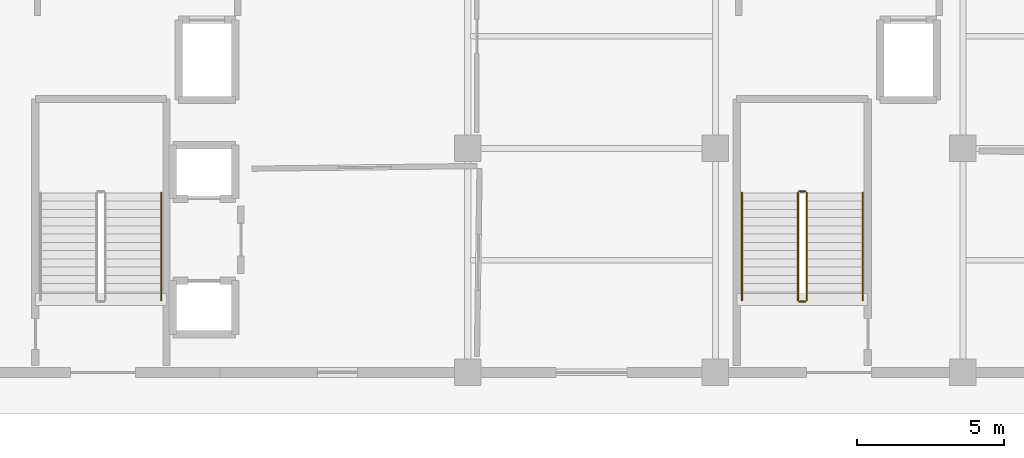
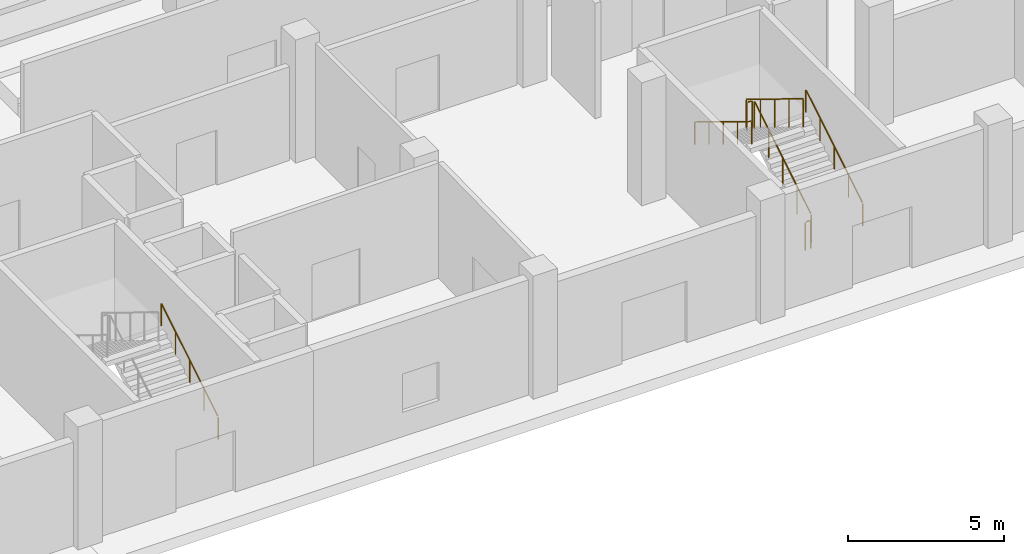
# One storey, part 31 of 36: 7 railings.
"""IFC4 building model written with IfcOpenShell, lengths in metres."""

from ifc_helpers import new_model, si_unit, direction, frame, origin, origin_2d, place, context, subcontext, project, spatial, circle, extrude, material, type_object, element, save


model = new_model("IFC4")

# Units and contexts
model_context = context("Model", 3, precision=1e-05, world=origin(), true_north=direction((0.0, 1.0)))
body_context = subcontext(model_context, "Body", "Model", "MODEL_VIEW")
ifc_project = project(units=[si_unit("LENGTHUNIT", "METRE"), si_unit("AREAUNIT", "SQUARE_METRE"), si_unit("VOLUMEUNIT", "CUBIC_METRE"), si_unit("PLANEANGLEUNIT", "RADIAN"), si_unit("MASSUNIT", "GRAM", prefix="KILO")], contexts=[model_context])

# Site, building, storey
site_placement = place(None, origin())
site = spatial("IfcSite", under=ifc_project, at=site_placement, CompositionType="ELEMENT")
building_placement = place(site_placement, origin())
building = spatial("IfcBuilding", under=site, at=building_placement, Name="Zuvorla Pavilion Media Centre", CompositionType="ELEMENT")
storey_placement = place(building_placement, origin())
storey = spatial("IfcBuildingStorey", under=building, at=storey_placement, Name="L00", CompositionType="ELEMENT", Elevation=0.0)

# Railings
ifc_material_1 = material(Name="Powder-coated steel balustrade guard", Category="steel")
railing_type_1 = type_object("IfcRailingType", Name="RL-INT-GRD", PredefinedType="BALUSTRADE", material=ifc_material_1)
railing_1_placement = place(storey_placement, frame((95.10009765625, 8.449951171875, 0.17138671875)))
element("IfcRailing", 1, at=railing_1_placement, inside=storey, type_object=railing_type_1, Name="L00 ST-02 stair guard 1", PredefinedType="BALUSTRADE", context=body_context, shape_type="SweptSolid", body=[
    extrude(circle(Radius=0.02392578125, at=origin_2d()), frame((0.0, 0.024658203125, 1.111083984375), z_axis=(0.0, 0.852865859571, 0.52213008492), x_axis=(-1.0, 0.0, 0.0)), (0.0, 0.0, 1.0), 4.21044921875),
    extrude(circle(Radius=0.02099609375, at=origin_2d()), origin(), (0.0, 0.0, 1.0), 1.070068359375),
    extrude(circle(Radius=0.02099609375, at=origin_2d()), frame((0.0, 0.91015625, 0.55712890625)), (0.0, 0.0, 1.0), 1.070068359375),
    extrude(circle(Radius=0.02099609375, at=origin_2d()), frame((0.0, 1.820068359375, 1.1142578125)), (0.0, 0.0, 1.0), 1.070068359375),
    extrude(circle(Radius=0.02099609375, at=origin_2d()), frame((0.0, 2.72998046875, 1.67138671875)), (0.0, 0.0, 1.0), 1.070068359375),
    extrude(circle(Radius=0.02099609375, at=origin_2d()), frame((0.0, 3.64013671875, 2.228515625)), (0.0, 0.0, 1.0), 1.070068359375),
])
railing_2_placement = place(storey_placement, frame((95.050048828125, 12.139892578125, 2.39990234375)))
element("IfcRailing", 2, at=railing_2_placement, inside=storey, type_object=railing_type_1, Name="L00 ST-02 stair guard 2", PredefinedType="BALUSTRADE", context=body_context, shape_type="SweptSolid", body=[
    extrude(circle(Radius=0.02392578125, at=origin_2d()), frame((-0.02880859375, 0.0, 1.09619140625), z_axis=(-1.0, 0.0, 0.0), x_axis=(0.0, -1.0, 0.0)), (0.0, 0.0, 1.0), 0.142333984375),
    extrude(circle(Radius=0.02099609375, at=origin_2d()), origin(), (0.0, 0.0, 1.0), 1.070068359375),
    extrude(circle(Radius=0.02099609375, at=origin_2d()), frame((-0.199951171875, 0.0, 0.0)), (0.0, 0.0, 1.0), 1.070068359375),
])
railing_3_placement = place(storey_placement, frame((94.800048828125, 12.090087890625, 2.571533203125)))
element("IfcRailing", 3, at=railing_3_placement, inside=storey, type_object=railing_type_1, Name="L00 ST-02 stair guard 3", PredefinedType="BALUSTRADE", context=body_context, shape_type="SweptSolid", body=[
    extrude(circle(Radius=0.02392578125, at=origin_2d()), frame((0.0, -0.024658203125, 1.111083984375), z_axis=(0.0, -0.852865859571, 0.52213008492), x_axis=(1.0, 0.0, 0.0)), (0.0, 0.0, 1.0), 4.21044921875),
    extrude(circle(Radius=0.02099609375, at=origin_2d()), origin(), (0.0, 0.0, 1.0), 1.070068359375),
    extrude(circle(Radius=0.02099609375, at=origin_2d()), frame((0.0, -0.91015625, 0.55712890625)), (0.0, 0.0, 1.0), 1.070068359375),
    extrude(circle(Radius=0.02099609375, at=origin_2d()), frame((0.0, -1.820068359375, 1.1142578125)), (0.0, 0.0, 1.0), 1.070068359375),
    extrude(circle(Radius=0.02099609375, at=origin_2d()), frame((0.0, -2.72998046875, 1.67138671875)), (0.0, 0.0, 1.0), 1.070068359375),
    extrude(circle(Radius=0.02099609375, at=origin_2d()), frame((0.0, -3.64013671875, 2.228515625)), (0.0, 0.0, 1.0), 1.070068359375),
])
railing_4_placement = place(storey_placement, frame((95.050048828125, 8.39990234375, 0.0)))
element("IfcRailing", 4, at=railing_4_placement, inside=storey, type_object=railing_type_1, Name="L00 ST-02 stair guard 4", PredefinedType="BALUSTRADE", context=body_context, shape_type="SweptSolid", body=[
    extrude(circle(Radius=0.02392578125, at=origin_2d()), frame((-0.02880859375, 0.0, 1.09619140625), z_axis=(-1.0, 0.0, 0.0), x_axis=(0.0, -1.0, 0.0)), (0.0, 0.0, 1.0), 0.142333984375),
    extrude(circle(Radius=0.02099609375, at=origin_2d()), origin(), (0.0, 0.0, 1.0), 1.070068359375),
    extrude(circle(Radius=0.02099609375, at=origin_2d()), frame((-0.199951171875, 0.0, 0.0)), (0.0, 0.0, 1.0), 1.070068359375),
])
ifc_material_2 = material(Name="Brushed stainless steel tubular handrail", Category="steel")
railing_type_2 = type_object("IfcRailingType", Name="RL-INT-HND", PredefinedType="HANDRAIL", material=ifc_material_2)
for number, where, name in (
    (5, (73.199951171875, 8.449951171875, 0.17138671875), "L00 ST-01 handrail 1"),
    (6, (97.0, 8.449951171875, 0.17138671875), "L00 ST-02 handrail 1"),
):
    element("IfcRailing", number, at=place(storey_placement, frame(where)), inside=storey, type_object=railing_type_2, Name=name, PredefinedType="HANDRAIL", context=body_context, shape_type="SweptSolid", body=[
        extrude(circle(Radius=0.02392578125, at=origin_2d()), frame((0.0, 0.024658203125, 0.890869140625), z_axis=(0.0, 0.852865859571, 0.52213008492), x_axis=(-1.0, 0.0, 0.0)), (0.0, 0.0, 1.0), 4.21044921875),
        extrude(circle(Radius=0.02099609375, at=origin_2d()), origin(), (0.0, 0.0, 1.0), 0.849853515625),
        extrude(circle(Radius=0.02099609375, at=origin_2d()), frame((0.0, 0.91015625, 0.55712890625)), (0.0, 0.0, 1.0), 0.849853515625),
        extrude(circle(Radius=0.02099609375, at=origin_2d()), frame((0.0, 1.820068359375, 1.1142578125)), (0.0, 0.0, 1.0), 0.849853515625),
        extrude(circle(Radius=0.02099609375, at=origin_2d()), frame((0.0, 2.72998046875, 1.67138671875)), (0.0, 0.0, 1.0), 0.849853515625),
        extrude(circle(Radius=0.02099609375, at=origin_2d()), frame((0.0, 3.64013671875, 2.228515625)), (0.0, 0.0, 1.0), 0.849853515625),
    ])
railing_5_placement = place(storey_placement, frame((92.89990234375, 12.090087890625, 2.571533203125)))
element("IfcRailing", 7, at=railing_5_placement, inside=storey, type_object=railing_type_2, Name="L00 ST-02 handrail 2", PredefinedType="HANDRAIL", context=body_context, shape_type="SweptSolid", body=[
    extrude(circle(Radius=0.02392578125, at=origin_2d()), frame((0.0, -0.024658203125, 0.890869140625), z_axis=(0.0, -0.852865859571, 0.52213008492), x_axis=(1.0, 0.0, 0.0)), (0.0, 0.0, 1.0), 4.21044921875),
    extrude(circle(Radius=0.02099609375, at=origin_2d()), origin(), (0.0, 0.0, 1.0), 0.849853515625),
    extrude(circle(Radius=0.02099609375, at=origin_2d()), frame((0.0, -0.91015625, 0.55712890625)), (0.0, 0.0, 1.0), 0.849853515625),
    extrude(circle(Radius=0.02099609375, at=origin_2d()), frame((0.0, -1.820068359375, 1.1142578125)), (0.0, 0.0, 1.0), 0.849853515625),
    extrude(circle(Radius=0.02099609375, at=origin_2d()), frame((0.0, -2.72998046875, 1.67138671875)), (0.0, 0.0, 1.0), 0.849853515625),
    extrude(circle(Radius=0.02099609375, at=origin_2d()), frame((0.0, -3.64013671875, 2.228515625)), (0.0, 0.0, 1.0), 0.849853515625),
])

save(model, "model.ifc")
